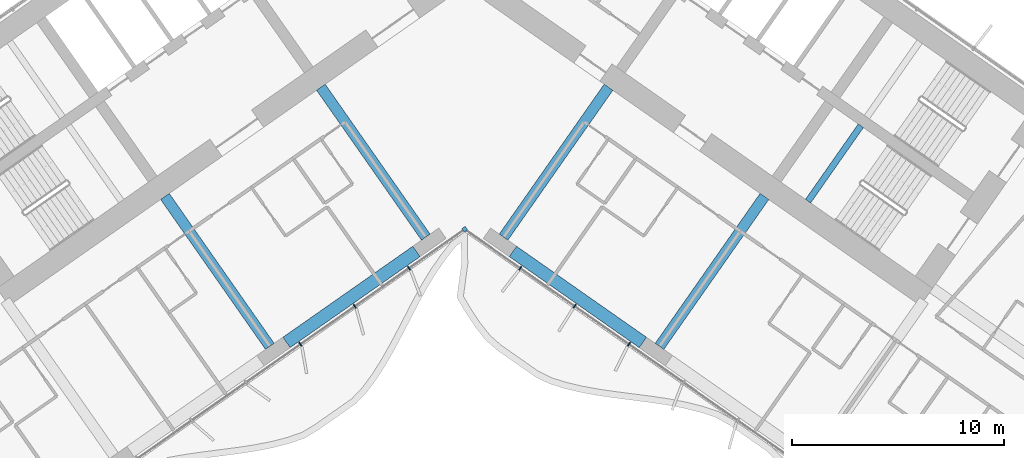
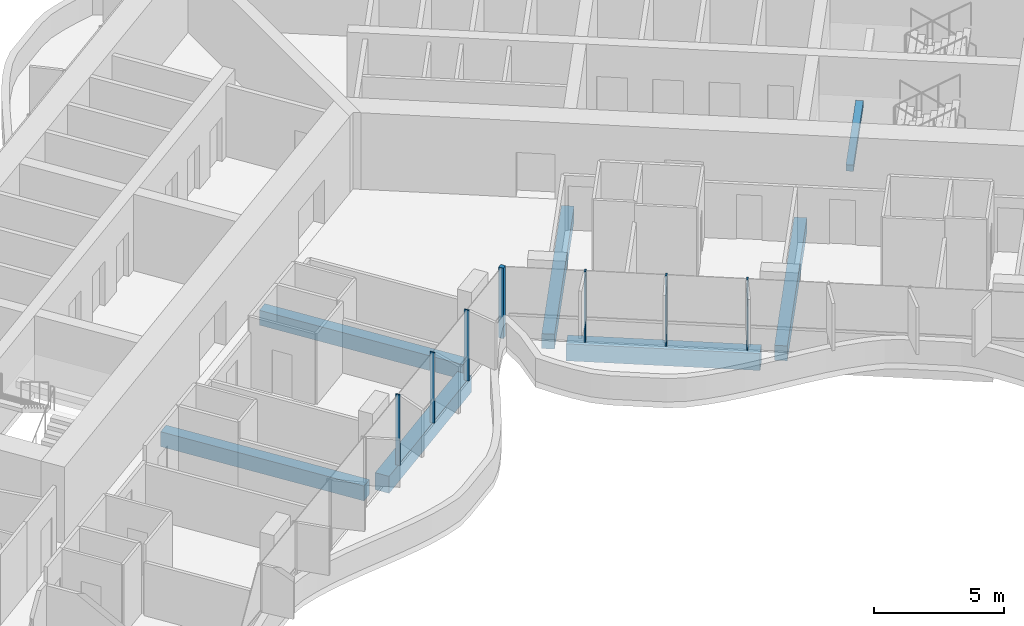
# One storey, part 6 of 25: 7 beams, 7 members, 1 element without a shape of its own.
"""IFC4 building model written with IfcOpenShell, lengths in metres."""

from ifc_helpers import new_model, si_unit, direction, frame, origin, origin_2d, place, context, subcontext, project, spatial, rectangle, extrude, material, material_profile, profile_set, type_object, element, aggregate, save


model = new_model("IFC4")

# Units and contexts
model_context = context("Model", 3, precision=1e-05, world=origin(), true_north=direction((0.0, 1.0)))
body_context = subcontext(model_context, "Body", "Model", "MODEL_VIEW")
ifc_project = project(units=[si_unit("LENGTHUNIT", "METRE"), si_unit("AREAUNIT", "SQUARE_METRE"), si_unit("VOLUMEUNIT", "CUBIC_METRE"), si_unit("PLANEANGLEUNIT", "RADIAN"), si_unit("MASSUNIT", "GRAM", prefix="KILO")], contexts=[model_context])

# Site, building, storey
site_placement = place(None, origin())
site = spatial("IfcSite", under=ifc_project, at=site_placement, CompositionType="ELEMENT")
building_placement = place(site_placement, origin())
building = spatial("IfcBuilding", under=site, at=building_placement, Name="Tel Ilan Convention Tower", CompositionType="ELEMENT")
storey_placement = place(building_placement, frame((0.0, 0.0, 54.5)))
storey = spatial("IfcBuildingStorey", under=building, at=storey_placement, Name="L08", CompositionType="ELEMENT", Elevation=54.5)

# Beams
ifc_material_1 = material(Name="Concrete C40/50", Category="concrete")
ifc_material_profile_1 = material_profile(ifc_material_1, rectangle(XDim=0.5, YDim=0.699951171875, at=origin_2d()), Name="RC 500x700")
ifc_profile_set_1 = profile_set([ifc_material_profile_1], Name="Concrete C40/50")
beam_type_1 = type_object("IfcBeamType", Name="Beam RC 500x700 Concrete C40/50", PredefinedType="BEAM", material=ifc_profile_set_1)
for number, where, z_axis, x_axis, name in (
    (1, (-1.83740234375, -13.06689453125, -0.6298828125), (-0.573574099654, 0.819153680457, 0.0), (-0.819153680457, -0.573574099654, 0.0), "L08 beam W-W-F1-core"),
    (2, (-9.209716796875, -18.229248046875, -0.6298828125), (-0.573574099654, 0.819153680457, 0.0), (-0.819153680457, -0.573574099654, 0.0), "L08 beam W-W-F2-core"),
    (3, (1.83740234375, -13.06689453125, -0.6298828125), (0.573574099654, 0.819153680457, 0.0), (-0.819153680457, 0.573574099654, 0.0), "L08 beam E-E-F1-core"),
    (4, (9.209716796875, -18.229248046875, -0.6298828125), (0.573574099654, 0.819153680457, 0.0), (-0.819153680457, 0.573574099654, 0.0), "L08 beam E-E-F2-core"),
):
    element("IfcBeam", number, at=place(storey_placement, frame(where, z_axis=z_axis, x_axis=x_axis)), inside=storey, type_object=beam_type_1, Name=name, PredefinedType="BEAM", context=body_context, shape_type="SweptSolid", body=[
        extrude(rectangle(XDim=0.5, YDim=0.699951171875, at=origin_2d()), origin(), (0.0, 0.0, 1.0), 8.64990234375),
    ])
ifc_material_2 = material(Name="Concrete C40/50", Category="concrete")
ifc_material_profile_2 = material_profile(ifc_material_2, rectangle(XDim=0.60009765625, YDim=0.800048828125, at=origin_2d()), Name="RC 600x800")
ifc_profile_set_2 = profile_set([ifc_material_profile_2], Name="Concrete C40/50")
beam_type_2 = type_object("IfcBeamType", Name="Beam RC 600x800 Concrete C40/50", PredefinedType="BEAM", material=ifc_profile_set_2)
for number, where, z_axis, x_axis, name in (
    (5, (-2.279541015625, -13.742919921875, -0.679931640625), (-0.819147803225, -0.57358249317, 0.0), (0.57358249317, -0.819147803225, 0.0), "L08 beam W-W-F1-W-F2"),
    (6, (2.279541015625, -13.742919921875, -0.679931640625), (0.819147803225, -0.57358249317, 0.0), (0.57358249317, 0.819147803225, 0.0), "L08 beam E-E-F1-E-F2"),
):
    element("IfcBeam", number, at=place(storey_placement, frame(where, z_axis=z_axis, x_axis=x_axis)), inside=storey, type_object=beam_type_2, Name=name, PredefinedType="BEAM", context=body_context, shape_type="SweptSolid", body=[
        extrude(rectangle(XDim=0.60009765625, YDim=0.800048828125, at=origin_2d()), origin(), (0.0, 0.0, 1.0), 7.500244140625),
    ])

# Curtain wall, members
ifc_material_3 = material(Name="Aluminium, bronze anodised", Category="aluminium")
curtain_wall_type = type_object("IfcCurtainWallType", Name="CW1 UNITISED CURTAIN WALL, HOTEL TINTED GLASS", PredefinedType="NOTDEFINED", material=ifc_material_3)
curtain_wall_placement = place(storey_placement, origin())
curtain_wall = element("IfcCurtainWall", 7, at=curtain_wall_placement, inside=storey, type_object=curtain_wall_type, Name="Curtain wall CW1-11.02", PredefinedType="NOTDEFINED")
ifc_material_4 = material(Name="Aluminium, bronze anodised", Category="aluminium")
ifc_material_profile_3 = material_profile(ifc_material_4, rectangle(XDim=0.199951171875, YDim=0.199951171875, at=origin_2d()), Name="CW CORNER MULLION 200x200")
ifc_profile_set_3 = profile_set([ifc_material_profile_3], Name="Aluminium, bronze anodised")
member_type_1 = type_object("IfcMemberType", Name="CW CORNER MULLION 200x200", PredefinedType="MULLION", material=ifc_profile_set_3)
member_1_placement = place(storey_placement, frame((0.0, -12.696044921875, 0.0), z_axis=(0.0, 0.0, 1.0), x_axis=(0.819152044289, 0.573576436351, 0.0)))
member_1 = element("IfcMember", 8, at=member_1_placement, type_object=member_type_1, Name="Corner mullion", PredefinedType="MULLION", context=body_context, shape_type="SweptSolid", body=[
    extrude(rectangle(XDim=0.199951171875, YDim=0.199951171875, at=origin_2d()), origin(), (0.0, 0.0, 1.0), 3.320068359375),
])
ifc_material_5 = material(Name="Aluminium, bronze anodised", Category="aluminium")
ifc_material_profile_4 = material_profile(ifc_material_5, rectangle(XDim=0.06005859375, YDim=0.199951171875, at=origin_2d()), Name="CW MULLION 60x200")
ifc_profile_set_4 = profile_set([ifc_material_profile_4], Name="Aluminium, bronze anodised")
member_type_2 = type_object("IfcMemberType", Name="CW MULLION 60x200", PredefinedType="MULLION", material=ifc_profile_set_4)
member_2_placement = place(storey_placement, frame((-7.76708984375, -18.134765625, 0.0), z_axis=(0.0, 0.0, 1.0), x_axis=(0.819152044289, 0.573576436351, 0.0)))
member_2 = element("IfcMember", 9, at=member_2_placement, type_object=member_type_2, Name="Mullion", PredefinedType="MULLION", context=body_context, shape_type="SweptSolid", body=[
    extrude(rectangle(XDim=0.06005859375, YDim=0.199951171875, at=origin_2d()), origin(), (0.0, 0.0, 1.0), 3.320068359375),
])
member_3_placement = place(storey_placement, frame((-5.197265625, -16.335205078125, 0.0), z_axis=(0.0, 0.0, 1.0), x_axis=(0.819152044289, 0.573576436351, 0.0)))
member_3 = element("IfcMember", 10, at=member_3_placement, type_object=member_type_2, Name="Mullion", PredefinedType="MULLION", context=body_context, shape_type="SweptSolid", body=[
    extrude(rectangle(XDim=0.06005859375, YDim=0.199951171875, at=origin_2d()), origin(), (0.0, 0.0, 1.0), 3.320068359375),
])
member_4_placement = place(storey_placement, frame((-2.627197265625, -14.53564453125, 0.0), z_axis=(0.0, 0.0, 1.0), x_axis=(0.819152044289, 0.573576436351, 0.0)))
member_4 = element("IfcMember", 11, at=member_4_placement, type_object=member_type_2, Name="Mullion", PredefinedType="MULLION", context=body_context, shape_type="SweptSolid", body=[
    extrude(rectangle(XDim=0.06005859375, YDim=0.199951171875, at=origin_2d()), origin(), (0.0, 0.0, 1.0), 3.320068359375),
])
member_5_placement = place(storey_placement, frame((2.627197265625, -14.53564453125, 0.0), z_axis=(0.0, 0.0, 1.0), x_axis=(0.819152044289, -0.573576436351, 0.0)))
member_5 = element("IfcMember", 12, at=member_5_placement, type_object=member_type_2, Name="Mullion", PredefinedType="MULLION", context=body_context, shape_type="SweptSolid", body=[
    extrude(rectangle(XDim=0.06005859375, YDim=0.199951171875, at=origin_2d()), origin(), (0.0, 0.0, 1.0), 3.320068359375),
])
member_6_placement = place(storey_placement, frame((5.197265625, -16.335205078125, 0.0), z_axis=(0.0, 0.0, 1.0), x_axis=(0.819152044289, -0.573576436351, 0.0)))
member_6 = element("IfcMember", 13, at=member_6_placement, type_object=member_type_2, Name="Mullion", PredefinedType="MULLION", context=body_context, shape_type="SweptSolid", body=[
    extrude(rectangle(XDim=0.06005859375, YDim=0.199951171875, at=origin_2d()), origin(), (0.0, 0.0, 1.0), 3.320068359375),
])
member_7_placement = place(storey_placement, frame((7.76708984375, -18.134765625, 0.0), z_axis=(0.0, 0.0, 1.0), x_axis=(0.819152044289, -0.573576436351, 0.0)))
member_7 = element("IfcMember", 14, at=member_7_placement, type_object=member_type_2, Name="Mullion", PredefinedType="MULLION", context=body_context, shape_type="SweptSolid", body=[
    extrude(rectangle(XDim=0.06005859375, YDim=0.199951171875, at=origin_2d()), origin(), (0.0, 0.0, 1.0), 3.320068359375),
])
aggregate(curtain_wall, [member_2, member_3, member_4, member_1, member_5, member_6, member_7])

# Beam
ifc_material_6 = material(Name="Concrete C40/50", Category="concrete")
ifc_material_profile_5 = material_profile(ifc_material_6, rectangle(XDim=0.300048828125, YDim=0.300048828125, at=origin_2d()), Name="RC 300x300")
ifc_profile_set_5 = profile_set([ifc_material_profile_5], Name="Concrete C40/50")
beam_type_3 = type_object("IfcBeamType", Name="Landing Beam RC 300x300 Concrete C40/50", PredefinedType="BEAM", material=ifc_profile_set_5)
beam_placement = place(storey_placement, frame((18.726806640625, -7.80224609375, 1.449951171875), z_axis=(-0.573594173421, -0.819139624372, 0.0), x_axis=(0.819139624372, -0.573594173421, 0.0)))
element("IfcBeam", 15, at=beam_placement, inside=storey, type_object=beam_type_3, Name="S4 landing beam L08.1", PredefinedType="BEAM", context=body_context, shape_type="SweptSolid", body=[
    extrude(rectangle(XDim=0.300048828125, YDim=0.300048828125, at=origin_2d()), origin(), (0.0, 0.0, 1.0), 4.349853515625),
])

save(model, "model.ifc")
